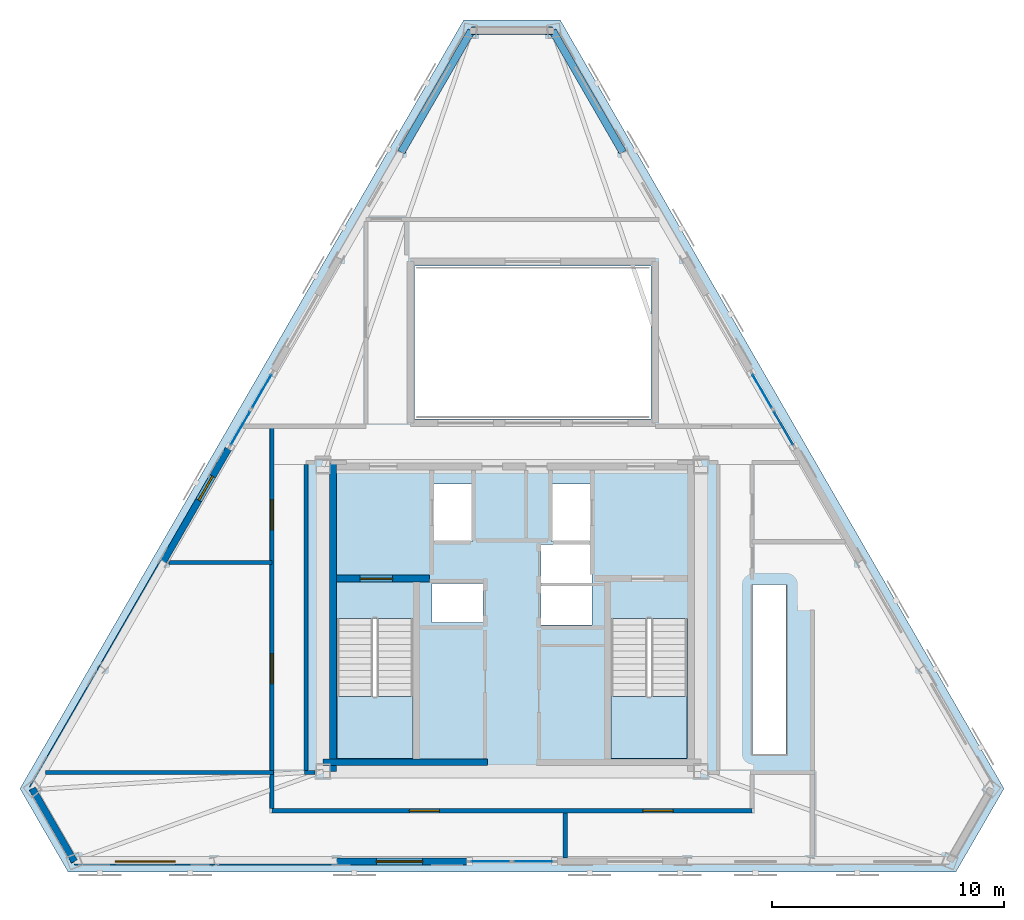
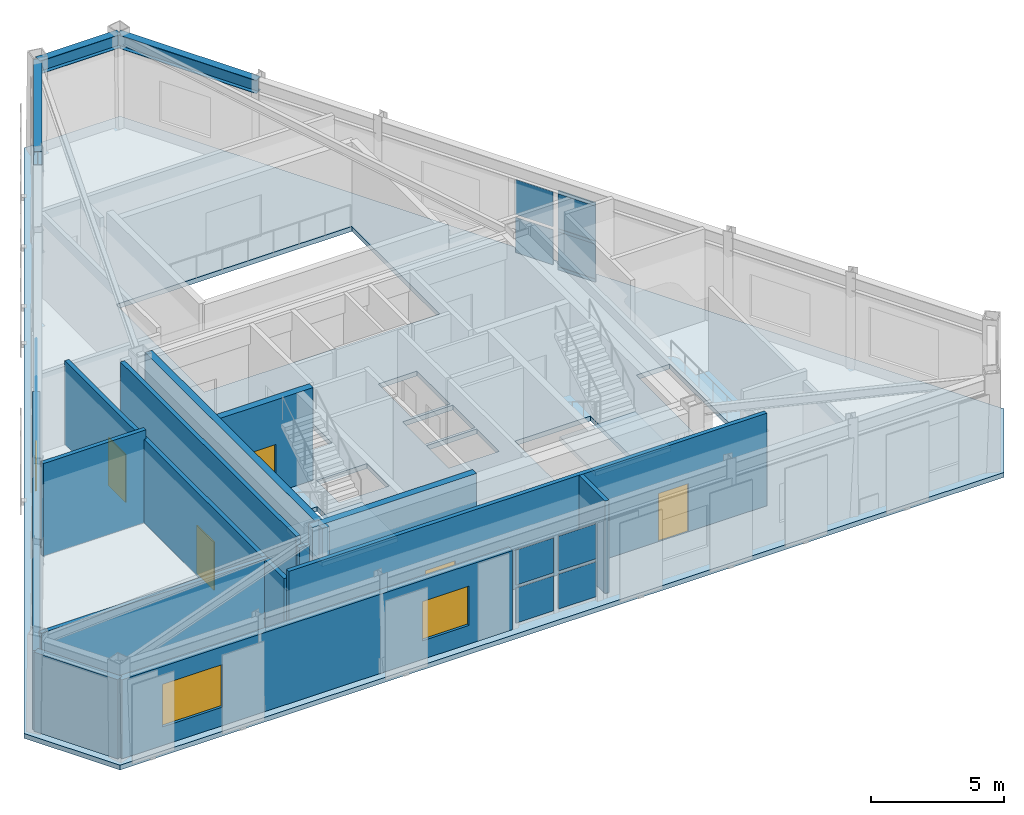
# One storey, part 8 of 14: 13 walls, 12 plates, 5 doors, 3 beams, 3 members, 3 slabs, 3 windows, 8 openings, 5 elements without a shape of their own.
"""IFC4 building model written with IfcOpenShell, lengths in metres."""

import ifcopenshell
import ifcopenshell.guid

model = None  # the IFC model being written
_history = None  # IfcOwnerHistory: only IFC2X3 demands one
_inside = {}  # id of a spatial element -> (the spatial element, [elements in it])
_under = {}  # id of a project, library or spatial element -> (it, [spatial elements below it])
_declared = {}  # id of a project -> (the project, [libraries it declares])
_typed = {}  # id of a type object -> (the type object, [elements of that type])
_made_of = {}  # id of a material, layer set ... -> (it, [elements and type objects made of it])


def new_model(schema):
    """Start an empty IFC model of exactly this schema.

    Asked for "IFC4X3", IfcOpenShell would pick the latest addendum, in which some entities
    have other attributes; the version numbers below select the first issue.
    IFC2X3 requires an IfcOwnerHistory on every rooted entity: one is made here for all.
    """
    global model, _history
    if schema == "IFC4X3":
        model = ifcopenshell.file(schema_version=(4, 3, 0, 0))
    else:
        model = ifcopenshell.file(schema=schema)
    _inside.clear()
    _under.clear()
    _declared.clear()
    _typed.clear()
    _made_of.clear()
    _history = None
    if model.schema == "IFC2X3":
        org = make("IfcOrganization", Name="unknown")
        user = make(
            "IfcPersonAndOrganization",
            ThePerson=make("IfcPerson", FamilyName="unknown"),
            TheOrganization=org,
        )
        app = make(
            "IfcApplication",
            ApplicationDeveloper=org,
            Version="unknown",
            ApplicationFullName="unknown",
            ApplicationIdentifier="unknown",
        )
        _history = make(
            "IfcOwnerHistory",
            OwningUser=user,
            OwningApplication=app,
            ChangeAction="ADDED",
            CreationDate=0,
        )
    return model


def make(cls, **values):
    """One entity of the class cls with the attributes given. An attribute that is None is left unset."""
    return model.create_entity(
        cls, **{name: value for name, value in values.items() if value is not None}
    )


def rooted(cls, **values):
    """An entity with a GlobalId (a new one), such as an element, a storey or a relation."""
    return make(cls, GlobalId=ifcopenshell.guid.new(), OwnerHistory=_history, **values)


def si_unit(unit_type, name, prefix=None):
    """IfcSIUnit, for example si_unit("LENGTHUNIT", "METRE", prefix="MILLI")."""
    return make("IfcSIUnit", UnitType=unit_type, Prefix=prefix, Name=name)


def assignment(units):
    """IfcUnitAssignment: the units of a project."""
    return None if units is None else make("IfcUnitAssignment", Units=units)


def point(xyz):
    """IfcCartesianPoint."""
    return None if xyz is None else make("IfcCartesianPoint", Coordinates=xyz)


def direction(xyz):
    """IfcDirection."""
    return None if xyz is None else make("IfcDirection", DirectionRatios=xyz)


def frame(location, z_axis=None, x_axis=None):
    """IfcAxis2Placement3D, a coordinate frame: its origin and axes. An axis left out is left unset."""
    return make(
        "IfcAxis2Placement3D",
        Location=point(location),
        Axis=direction(z_axis),
        RefDirection=direction(x_axis),
    )


def frame_2d(location, x_axis=None):
    """IfcAxis2Placement2D, a coordinate frame in the plane: its origin and x axis."""
    return make(
        "IfcAxis2Placement2D", Location=point(location), RefDirection=direction(x_axis)
    )


def origin():
    """The frame at (0, 0, 0) with its axes left unset."""
    return frame((0.0, 0.0, 0.0))


def origin_2d():
    """The frame at (0, 0) in the plane with its x axis left unset."""
    return frame_2d((0.0, 0.0))


def place(relative_to, where):
    """IfcLocalPlacement: puts the frame where relative to a parent placement (None: the world)."""
    return make(
        "IfcLocalPlacement", PlacementRelTo=relative_to, RelativePlacement=where
    )


def context(
    kind, dimensions, precision=None, world=None, true_north=None, identifier=None
):
    """IfcGeometricRepresentationContext, for example the 3D "Model" context."""
    return make(
        "IfcGeometricRepresentationContext",
        ContextIdentifier=identifier,
        ContextType=kind,
        CoordinateSpaceDimension=dimensions,
        Precision=precision,
        WorldCoordinateSystem=world,
        TrueNorth=true_north,
    )


def subcontext(parent, identifier, kind, view, scale=None):
    """IfcGeometricRepresentationSubContext, for example "Body" below "Model"."""
    return make(
        "IfcGeometricRepresentationSubContext",
        ContextIdentifier=identifier,
        ContextType=kind,
        ParentContext=parent,
        TargetScale=scale,
        TargetView=view,
    )


def project(units=None, contexts=None):
    """IfcProject with its units and contexts."""
    return rooted(
        "IfcProject",
        Name="project",
        RepresentationContexts=contexts,
        UnitsInContext=assignment(units),
    )


def spatial(cls, under=None, at=None, **own):
    """A site, building, storey or space (cls), placed at a placement, below another one or the project."""
    s = rooted(cls, ObjectPlacement=at, **own)
    if under is not None:
        _under.setdefault(under.id(), (under, []))[1].append(s)
    return s


def polyline(points):
    """IfcPolyline through the points."""
    return make("IfcPolyline", Points=[point(p) for p in points])


def profile(cls, at=None, kind="AREA", **sizes):
    """A parametric profile (cls). Its sizes go by their IFC names, for example OverallWidth=200.0."""
    return make(cls, ProfileType=kind, Position=at, **sizes)


def rectangle(**sizes):
    """IfcRectangleProfileDef."""
    return profile("IfcRectangleProfileDef", **sizes)


def hollow_rectangle(**sizes):
    """IfcRectangleHollowProfileDef."""
    return profile("IfcRectangleHollowProfileDef", **sizes)


def i_section(**sizes):
    """IfcIShapeProfileDef."""
    return profile("IfcIShapeProfileDef", **sizes)


def outline(outer, holes=None, kind="AREA"):
    """IfcArbitraryClosedProfileDef: a profile drawn as a closed curve; with holes, ...WithVoids."""
    if holes is None:
        return make("IfcArbitraryClosedProfileDef", ProfileType=kind, OuterCurve=outer)
    return make(
        "IfcArbitraryProfileDefWithVoids",
        ProfileType=kind,
        OuterCurve=outer,
        InnerCurves=holes,
    )


def extrude(swept, where, along, depth):
    """IfcExtrudedAreaSolid: the profile swept, set in the frame where, extruded along a direction by depth."""
    return make(
        "IfcExtrudedAreaSolid",
        SweptArea=swept,
        Position=where,
        ExtrudedDirection=direction(along),
        Depth=depth,
    )


def shape(context_of_items, identifier, shape_type, items):
    """IfcShapeRepresentation: the items that make up one representation, for example the "Body"."""
    return make(
        "IfcShapeRepresentation",
        ContextOfItems=context_of_items,
        RepresentationIdentifier=identifier,
        RepresentationType=shape_type,
        Items=items,
    )


def material(Name=None, Category=None):
    """IfcMaterial."""
    return make("IfcMaterial", Name=Name, Category=Category)


def layer(
    of_material, thickness, ventilated=None, Name=None, Category=None, Priority=None
):
    """IfcMaterialLayer: one layer of a wall or slab, of a material (None: an air gap)."""
    return make(
        "IfcMaterialLayer",
        Material=of_material,
        LayerThickness=thickness,
        IsVentilated=ventilated,
        Name=Name,
        Category=Category,
        Priority=Priority,
    )


def layer_set(layers, Name=None):
    """IfcMaterialLayerSet."""
    return make("IfcMaterialLayerSet", MaterialLayers=layers, LayerSetName=Name)


def material_profile(
    of_material, cross_section, Name=None, Category=None, Priority=None
):
    """IfcMaterialProfile: a cross section and its material."""
    return make(
        "IfcMaterialProfile",
        Name=Name,
        Material=of_material,
        Profile=cross_section,
        Priority=Priority,
        Category=Category,
    )


def profile_set(profiles, Name=None, composite=None):
    """IfcMaterialProfileSet."""
    return make(
        "IfcMaterialProfileSet",
        Name=Name,
        MaterialProfiles=profiles,
        CompositeProfile=composite,
    )


def made_of(thing, what):
    """Note that an element or type object is made of a material, layer set ...; save() writes the relation."""
    if what is not None:
        _made_of.setdefault(what.id(), (what, []))[1].append(thing)
    return thing


def type_object(cls, material=None, **own):
    """A type object (cls), such as IfcWallType, which elements share."""
    return made_of(rooted(cls, **own), material)


def element(
    cls,
    number,
    at=None,
    inside=None,
    cuts=None,
    type_object=None,
    material=None,
    context=None,
    identifier="Body",
    shape_type=None,
    held_by="IfcProductDefinitionShape",
    body=None,
    shapes=None,
    **own,
):
    """One element of the class cls, such as IfcWall. Its Tag is "e" and its number.

    at: its placement. inside: the storey or other place that contains it. cuts: it is an
    opening in that element (IfcRelVoidsElement). A single representation is given by context,
    identifier, shape_type and body (its items); several are given by shapes. held_by: the class
    of the entity that holds the representations. save() writes the other relations.
    """
    e = rooted(cls, Tag="e%d" % number, ObjectPlacement=at, **own)
    if body is not None:
        shapes = [shape(context, identifier, shape_type, body)]
    if shapes is not None:
        e.Representation = make(held_by, Representations=shapes)
    if inside is not None:
        _inside.setdefault(inside.id(), (inside, []))[1].append(e)
    if cuts is not None:
        rooted(
            "IfcRelVoidsElement", RelatingBuildingElement=cuts, RelatedOpeningElement=e
        )
    if type_object is not None:
        _typed.setdefault(type_object.id(), (type_object, []))[1].append(e)
    return made_of(e, material)


def fill(opening, filler):
    """IfcRelFillsElement: the door or window that sits in an opening."""
    return rooted(
        "IfcRelFillsElement",
        RelatingOpeningElement=opening,
        RelatedBuildingElement=filler,
    )


def aggregate(whole, parts):
    """IfcRelAggregates: a whole, such as a stair, and the parts it consists of."""
    return rooted("IfcRelAggregates", RelatingObject=whole, RelatedObjects=parts)


def save(model, path):
    """Write the relations noted so far, then the file.

    IfcRelAggregates (storeys below a building ...), IfcRelContainedInSpatialStructure (elements
    in a storey), IfcRelDefinesByType, IfcRelAssociatesMaterial and IfcRelDeclares: one each for
    every whole, place, type object, material and project.
    """
    for whole, parts in _under.values():
        aggregate(whole, parts)
    for where, things in _inside.values():
        rooted(
            "IfcRelContainedInSpatialStructure",
            RelatedElements=things,
            RelatingStructure=where,
        )
    for kind, things in _typed.values():
        rooted("IfcRelDefinesByType", RelatedObjects=things, RelatingType=kind)
    for what, things in _made_of.values():
        rooted("IfcRelAssociatesMaterial", RelatedObjects=things, RelatingMaterial=what)
    for by, libraries in _declared.values():
        rooted("IfcRelDeclares", RelatingContext=by, RelatedDefinitions=libraries)
    model.write(path)


model = new_model("IFC4")

# Units and contexts
model_context = context("Model", 3, precision=1e-05, world=origin(), true_north=direction((0.0, 1.0)))
body_context = subcontext(model_context, "Body", "Model", "MODEL_VIEW")
ifc_project = project(units=[si_unit("LENGTHUNIT", "METRE"), si_unit("AREAUNIT", "SQUARE_METRE"), si_unit("VOLUMEUNIT", "CUBIC_METRE"), si_unit("PLANEANGLEUNIT", "RADIAN"), si_unit("MASSUNIT", "GRAM", prefix="KILO")], contexts=[model_context])

# Site, building, storey
site_placement = place(None, origin())
site = spatial("IfcSite", under=ifc_project, at=site_placement, CompositionType="ELEMENT")
building_placement = place(site_placement, origin())
building = spatial("IfcBuilding", under=site, at=building_placement, Name="Oramaril Tower", CompositionType="ELEMENT")
storey_placement = place(building_placement, frame((0.0, 0.0, 309.60009765625)))
storey = spatial("IfcBuildingStorey", under=building, at=storey_placement, Name="L81", CompositionType="ELEMENT", Elevation=309.60009765625)

# Beams
ifc_material_1 = material(Name="Steel ASTM A572 Gr 50", Category="steel")
ifc_material_profile_1 = material_profile(ifc_material_1, i_section(OverallWidth=0.324951171875, OverallDepth=0.612060546875, WebThickness=0.0126953125, FlangeThickness=0.01904296875, at=origin_2d()), Name="W24X104")
ifc_profile_set_1 = profile_set([ifc_material_profile_1], Name="Steel ASTM A572 Gr 50")
beam_type = type_object("IfcBeamType", Name="BT-SP5", PredefinedType="SPANDREL", material=ifc_profile_set_1)
beam_1_placement = place(storey_placement, frame((42.279052734375, 37.693603515625, 3.933837890625), z_axis=(-0.499974138713, 0.86604033429, 0.0), x_axis=(-0.86604033429, -0.499974138713, 0.0)))
element("IfcBeam", 1, at=beam_1_placement, inside=storey, type_object=beam_type, Name="L81 Perimeter Spandrel 12", PredefinedType="SPANDREL", context=body_context, shape_type="SweptSolid", body=[
    extrude(i_section(OverallWidth=0.324951171875, OverallDepth=0.612060546875, WebThickness=0.0126953125, FlangeThickness=0.01904296875, at=origin_2d()), origin(), (0.0, 0.0, 1.0), 6.045654296875),
])
beam_2_placement = place(storey_placement, frame((39.25634765625, 42.929443359375, 3.933837890625), z_axis=(-1.0, 0.0, 0.0), x_axis=(0.0, -1.0, 0.0)))
element("IfcBeam", 2, at=beam_2_placement, inside=storey, type_object=beam_type, Name="L81 Perimeter Spandrel 13", PredefinedType="SPANDREL", context=body_context, shape_type="SweptSolid", body=[
    extrude(i_section(OverallWidth=0.324951171875, OverallDepth=0.612060546875, WebThickness=0.0126953125, FlangeThickness=0.01904296875, at=origin_2d()), origin(), (0.0, 0.0, 1.0), 3.5126953125),
])
beam_3_placement = place(storey_placement, frame((35.74365234375, 42.929443359375, 3.933837890625), z_axis=(-0.499974138713, -0.86604033429, 0.0), x_axis=(0.86604033429, -0.499974138713, 0.0)))
element("IfcBeam", 3, at=beam_3_placement, inside=storey, type_object=beam_type, Name="L81 Perimeter Spandrel 14", PredefinedType="SPANDREL", context=body_context, shape_type="SweptSolid", body=[
    extrude(i_section(OverallWidth=0.324951171875, OverallDepth=0.612060546875, WebThickness=0.0126953125, FlangeThickness=0.01904296875, at=origin_2d()), origin(), (0.0, 0.0, 1.0), 6.045654296875),
])

# Curtain wall, members
ifc_material_2 = material(Name="Anodised Aluminium 6063-T6", Category="aluminium")
ifc_layer_1 = layer(ifc_material_2, 0.219970703125)
ifc_layer_set_1 = layer_set([ifc_layer_1], Name="CWT-SYS6")
curtain_wall_type = type_object("IfcCurtainWallType", Name="CWT-SYS6", PredefinedType="NOTDEFINED", material=ifc_layer_set_1)
curtain_wall_1_placement = place(storey_placement, origin())
curtain_wall_1 = element("IfcCurtainWall", 4, at=curtain_wall_1_placement, inside=storey, type_object=curtain_wall_type, Name="L81 Unitised Curtain Wall CW-6", PredefinedType="NOTDEFINED")
ifc_material_3 = material(Name="Anodised Aluminium 6063-T6", Category="aluminium")
ifc_material_profile_2 = material_profile(ifc_material_3, hollow_rectangle(XDim=0.06494140625, YDim=0.139892578125, WallThickness=0.00390625, at=origin_2d()), Name="CWT140X65")
ifc_profile_set_2 = profile_set([ifc_material_profile_2], Name="Anodised Aluminium 6063-T6")
member_type = type_object("IfcMemberType", Name="MT-CWT2", PredefinedType="USERDEFINED", material=ifc_profile_set_2)
member_1_placement = place(storey_placement, frame((49.615234375, 25.09716796875, 0.06982421875), z_axis=(-0.499948604784, 0.866055074793, 0.0), x_axis=(-0.866055074793, -0.499948604784, 0.0)))
member_1 = element("IfcMember", 5, at=member_1_placement, type_object=member_type, Name="CW-6 transom 1.1", ObjectType="TRANSOM", PredefinedType="USERDEFINED", context=body_context, shape_type="SweptSolid", body=[
    extrude(hollow_rectangle(XDim=0.06494140625, YDim=0.139892578125, WallThickness=0.00390625, at=origin_2d()), origin(), (0.0, 0.0, 1.0), 1.619873046875),
])
member_2_placement = place(storey_placement, frame((49.615234375, 25.09716796875, 1.808837890625), z_axis=(-0.499948604784, 0.866055074793, 0.0), x_axis=(-0.866055074793, -0.499948604784, 0.0)))
member_2 = element("IfcMember", 6, at=member_2_placement, type_object=member_type, Name="CW-6 transom 1.2", ObjectType="TRANSOM", PredefinedType="USERDEFINED", context=body_context, shape_type="SweptSolid", body=[
    extrude(hollow_rectangle(XDim=0.06494140625, YDim=0.139892578125, WallThickness=0.00390625, at=origin_2d()), origin(), (0.0, 0.0, 1.0), 1.619873046875),
])
member_3_placement = place(storey_placement, frame((49.615234375, 25.09716796875, 3.5478515625), z_axis=(-0.499948604784, 0.866055074793, 0.0), x_axis=(-0.866055074793, -0.499948604784, 0.0)))
member_3 = element("IfcMember", 7, at=member_3_placement, type_object=member_type, Name="CW-6 transom 1.3", ObjectType="TRANSOM", PredefinedType="USERDEFINED", context=body_context, shape_type="SweptSolid", body=[
    extrude(hollow_rectangle(XDim=0.06494140625, YDim=0.139892578125, WallThickness=0.00390625, at=origin_2d()), origin(), (0.0, 0.0, 1.0), 1.619873046875),
])

# Curtain wall, plates
curtain_wall_2_placement = place(storey_placement, origin())
curtain_wall_2 = element("IfcCurtainWall", 8, at=curtain_wall_2_placement, inside=storey, type_object=curtain_wall_type, Name="L81 Unitised Curtain Wall CW-6", PredefinedType="NOTDEFINED")
ifc_material_4 = material(Name="Coastal Low-E Insulated Glass", Category="glass")
ifc_layer_2 = layer(ifc_material_4, 0.035888671875)
ifc_layer_set_2 = layer_set([ifc_layer_2], Name="PLT-CWP3")
plate_type = type_object("IfcPlateType", Name="PLT-CWP3", PredefinedType="CURTAIN_PANEL", material=ifc_layer_set_2)
plate_1_placement = place(storey_placement, frame((36.580078125, 7.109130859375, 0.139892578125), z_axis=(0.0, 0.0, 1.0), x_axis=(1.0, 0.0, 0.0)))
plate_1 = element("IfcPlate", 9, at=plate_1_placement, type_object=plate_type, Name="CW-6 panel 1.1", PredefinedType="CURTAIN_PANEL", context=body_context, shape_type="SweptSolid", body=[
    extrude(rectangle(XDim=1.6201171875, YDim=0.035888671875, at=origin_2d()), origin(), (0.0, 0.0, 1.0), 1.59912109375),
])
plate_2_placement = place(storey_placement, frame((36.580078125, 7.109130859375, 1.87890625), z_axis=(0.0, 0.0, 1.0), x_axis=(1.0, 0.0, 0.0)))
plate_2 = element("IfcPlate", 10, at=plate_2_placement, type_object=plate_type, Name="CW-6 panel 1.2", PredefinedType="CURTAIN_PANEL", context=body_context, shape_type="SweptSolid", body=[
    extrude(rectangle(XDim=1.6201171875, YDim=0.035888671875, at=origin_2d()), origin(), (0.0, 0.0, 1.0), 1.59912109375),
])
plate_3_placement = place(storey_placement, frame((38.419921875, 7.109130859375, 0.139892578125), z_axis=(0.0, 0.0, 1.0), x_axis=(1.0, 0.0, 0.0)))
plate_3 = element("IfcPlate", 11, at=plate_3_placement, type_object=plate_type, Name="CW-6 panel 2.1", PredefinedType="CURTAIN_PANEL", context=body_context, shape_type="SweptSolid", body=[
    extrude(rectangle(XDim=1.6201171875, YDim=0.035888671875, at=origin_2d()), origin(), (0.0, 0.0, 1.0), 1.59912109375),
])
plate_4_placement = place(storey_placement, frame((38.419921875, 7.109130859375, 1.87890625), z_axis=(0.0, 0.0, 1.0), x_axis=(1.0, 0.0, 0.0)))
plate_4 = element("IfcPlate", 12, at=plate_4_placement, type_object=plate_type, Name="CW-6 panel 2.2", PredefinedType="CURTAIN_PANEL", context=body_context, shape_type="SweptSolid", body=[
    extrude(rectangle(XDim=1.6201171875, YDim=0.035888671875, at=origin_2d()), origin(), (0.0, 0.0, 1.0), 1.59912109375),
])
aggregate(curtain_wall_2, [plate_1, plate_2, plate_3, plate_4])

# Plate
plate_5_placement = place(storey_placement, frame((49.210205078125, 25.798583984375, 0.139892578125), z_axis=(0.0, 0.0, 1.0), x_axis=(-0.499999897278, 0.866025463091, 0.0)))
plate_5 = element("IfcPlate", 13, at=plate_5_placement, type_object=plate_type, Name="CW-6 panel 1.1", PredefinedType="CURTAIN_PANEL", context=body_context, shape_type="SweptSolid", body=[
    extrude(rectangle(XDim=1.6201171875, YDim=0.035888671875, at=origin_2d()), origin(), (0.0, 0.0, 1.0), 1.59912109375),
])

plate_6_placement = place(storey_placement, frame((49.210205078125, 25.798583984375, 1.87890625), z_axis=(0.0, 0.0, 1.0), x_axis=(-0.499999897278, 0.866025463091, 0.0)))
plate_6 = element("IfcPlate", 14, at=plate_6_placement, type_object=plate_type, Name="CW-6 panel 1.2", PredefinedType="CURTAIN_PANEL", context=body_context, shape_type="SweptSolid", body=[
    extrude(rectangle(XDim=1.6201171875, YDim=0.035888671875, at=origin_2d()), origin(), (0.0, 0.0, 1.0), 1.59912109375),
])

plate_7_placement = place(storey_placement, frame((48.290283203125, 27.39208984375, 0.139892578125), z_axis=(0.0, 0.0, 1.0), x_axis=(-0.499999897278, 0.866025463091, 0.0)))
plate_7 = element("IfcPlate", 15, at=plate_7_placement, type_object=plate_type, Name="CW-6 panel 2.1", PredefinedType="CURTAIN_PANEL", context=body_context, shape_type="SweptSolid", body=[
    extrude(rectangle(XDim=1.6201171875, YDim=0.035888671875, at=origin_2d()), origin(), (0.0, 0.0, 1.0), 1.59912109375),
])

plate_8_placement = place(storey_placement, frame((48.290283203125, 27.39208984375, 1.87890625), z_axis=(0.0, 0.0, 1.0), x_axis=(-0.499999897278, 0.866025463091, 0.0)))
plate_8 = element("IfcPlate", 16, at=plate_8_placement, type_object=plate_type, Name="CW-6 panel 2.2", PredefinedType="CURTAIN_PANEL", context=body_context, shape_type="SweptSolid", body=[
    extrude(rectangle(XDim=1.6201171875, YDim=0.035888671875, at=origin_2d()), origin(), (0.0, 0.0, 1.0), 1.59912109375),
])

aggregate(curtain_wall_1, [member_1, member_2, member_3, plate_5, plate_6, plate_7, plate_8])

# Curtain wall, plates
curtain_wall_3_placement = place(storey_placement, origin())
curtain_wall_3 = element("IfcCurtainWall", 17, at=curtain_wall_3_placement, inside=storey, type_object=curtain_wall_type, Name="L81 Unitised Curtain Wall CW-6", PredefinedType="NOTDEFINED")
plate_9_placement = place(storey_placement, frame((26.709716796875, 27.39208984375, 0.139892578125), z_axis=(0.0, 0.0, 1.0), x_axis=(-0.499999897278, -0.866025463091, 0.0)))
plate_9 = element("IfcPlate", 18, at=plate_9_placement, type_object=plate_type, Name="CW-6 panel 1.1", PredefinedType="CURTAIN_PANEL", context=body_context, shape_type="SweptSolid", body=[
    extrude(rectangle(XDim=1.6201171875, YDim=0.035888671875, at=origin_2d()), origin(), (0.0, 0.0, 1.0), 1.59912109375),
])
plate_10_placement = place(storey_placement, frame((26.709716796875, 27.39208984375, 1.87890625), z_axis=(0.0, 0.0, 1.0), x_axis=(-0.499999897278, -0.866025463091, 0.0)))
plate_10 = element("IfcPlate", 19, at=plate_10_placement, type_object=plate_type, Name="CW-6 panel 1.2", PredefinedType="CURTAIN_PANEL", context=body_context, shape_type="SweptSolid", body=[
    extrude(rectangle(XDim=1.6201171875, YDim=0.035888671875, at=origin_2d()), origin(), (0.0, 0.0, 1.0), 1.59912109375),
])
plate_11_placement = place(storey_placement, frame((25.789794921875, 25.798828125, 0.139892578125), z_axis=(0.0, 0.0, 1.0), x_axis=(-0.499999897278, -0.866025463091, 0.0)))
plate_11 = element("IfcPlate", 20, at=plate_11_placement, type_object=plate_type, Name="CW-6 panel 2.1", PredefinedType="CURTAIN_PANEL", context=body_context, shape_type="SweptSolid", body=[
    extrude(rectangle(XDim=1.6201171875, YDim=0.035888671875, at=origin_2d()), origin(), (0.0, 0.0, 1.0), 1.59912109375),
])
plate_12_placement = place(storey_placement, frame((25.789794921875, 25.798828125, 1.87890625), z_axis=(0.0, 0.0, 1.0), x_axis=(-0.499999897278, -0.866025463091, 0.0)))
plate_12 = element("IfcPlate", 21, at=plate_12_placement, type_object=plate_type, Name="CW-6 panel 2.2", PredefinedType="CURTAIN_PANEL", context=body_context, shape_type="SweptSolid", body=[
    extrude(rectangle(XDim=1.6201171875, YDim=0.035888671875, at=origin_2d()), origin(), (0.0, 0.0, 1.0), 1.59912109375),
])
aggregate(curtain_wall_3, [plate_9, plate_10, plate_11, plate_12])

# Slab
ifc_material_5 = material(Name="Concrete C50/60", Category="concrete")
ifc_layer_3 = layer(ifc_material_5, 0.219970703125)
ifc_layer_set_3 = layer_set([ifc_layer_3], Name="SLT-FLR22")
slab_type_1 = type_object("IfcSlabType", Name="SLT-FLR22", PredefinedType="FLOOR", material=ifc_layer_set_3)
slab_1_placement = place(storey_placement, frame((0.0, 0.0, -0.22021484375)))
element("IfcSlab", 22, at=slab_1_placement, inside=storey, type_object=slab_type_1, Name="L81 Structural Floor Slab Part 1", PredefinedType="FLOOR", context=body_context, shape_type="SweptSolid", body=[
    extrude(outline(polyline([(35.419921875, 43.398681640625), (39.580078125, 43.398681640625), (58.71728515625, 10.252197265625), (56.63720703125, 6.649169921875), (18.36279296875, 6.649169921875), (16.28271484375, 10.252197265625), (35.419921875, 43.398681640625)]), holes=[polyline([(43.5, 32.800048828125), (33.300048828125, 32.800048828125), (33.300048828125, 26.199951171875), (43.5, 26.199951171875), (43.5, 32.800048828125)]), polyline([(29.949951171875, 17.58935546875), (29.949951171875, 11.550048828125), (33.219970703125, 11.550048828125), (33.219970703125, 17.58935546875), (29.949951171875, 17.58935546875)]), polyline([(41.780029296875, 17.58935546875), (41.780029296875, 11.550048828125), (45.050048828125, 11.550048828125), (45.050048828125, 17.58935546875), (41.780029296875, 17.58935546875)]), polyline([(47.875, 11.75), (49.324951171875, 11.75), (49.324951171875, 19.049560546875), (47.875, 19.049560546875), (47.875, 11.75)]), polyline([(34.110107421875, 20.909912109375), (35.7900390625, 20.909912109375), (35.7900390625, 23.389892578125), (34.110107421875, 23.389892578125), (34.110107421875, 20.909912109375)]), polyline([(39.2099609375, 20.909912109375), (40.889892578125, 20.909912109375), (40.889892578125, 23.389892578125), (39.2099609375, 23.389892578125), (39.2099609375, 20.909912109375)]), polyline([(34.06005859375, 17.409912109375), (36.239990234375, 17.409912109375), (36.239990234375, 19.090087890625), (34.06005859375, 19.090087890625), (34.06005859375, 17.409912109375)]), polyline([(38.760009765625, 17.31005859375), (40.93994140625, 17.31005859375), (40.93994140625, 18.989990234375), (38.760009765625, 18.989990234375), (38.760009765625, 17.31005859375)]), polyline([(38.760009765625, 19.110107421875), (40.93994140625, 19.110107421875), (40.93994140625, 20.7900390625), (38.760009765625, 20.7900390625), (38.760009765625, 19.110107421875)])]), origin(), (0.0, 0.0, 1.0), 0.22021484375),
])

# Stair, slab
ifc_material_6 = material(Name="Concrete C50/60", Category="concrete")
stair_type = type_object("IfcStairType", Name="STT-DG-4500", PredefinedType="HALF_TURN_STAIR", material=ifc_material_6)
stair_1_placement = place(storey_placement, origin())
stair_1 = element("IfcStair", 23, at=stair_1_placement, inside=storey, type_object=stair_type, Name="L81 Protected PFP Exit Stair ST-1", PredefinedType="HALF_TURN_STAIR")
ifc_material_7 = material(Name="Concrete C50/60", Category="concrete")
ifc_layer_4 = layer(ifc_material_7, 0.199951171875)
ifc_layer_set_4 = layer_set([ifc_layer_4], Name="SLT-LND20")
slab_type_2 = type_object("IfcSlabType", Name="SLT-LND20", PredefinedType="LANDING", material=ifc_layer_set_4)
slab_2_placement = place(storey_placement, frame((0.0, 0.0, 2.0498046875)))
slab_2 = element("IfcSlab", 24, at=slab_2_placement, type_object=slab_type_2, Name="ST-1 landing 1", PredefinedType="LANDING", context=body_context, shape_type="SweptSolid", body=[
    extrude(outline(polyline([(29.949951171875, 14.22998046875), (29.949951171875, 11.550048828125), (33.219970703125, 11.550048828125), (33.219970703125, 14.22998046875), (29.949951171875, 14.22998046875)])), origin(), (0.0, 0.0, 1.0), 0.2001953125),
])
aggregate(stair_1, [slab_2])

stair_2_placement = place(storey_placement, origin())
stair_2 = element("IfcStair", 25, at=stair_2_placement, inside=storey, type_object=stair_type, Name="L81 Protected PFP Exit Stair ST-2", PredefinedType="HALF_TURN_STAIR")
slab_3_placement = place(storey_placement, frame((0.0, 0.0, 2.0498046875)))
slab_3 = element("IfcSlab", 26, at=slab_3_placement, type_object=slab_type_2, Name="ST-2 landing 1", PredefinedType="LANDING", context=body_context, shape_type="SweptSolid", body=[
    extrude(outline(polyline([(41.780029296875, 14.22998046875), (41.780029296875, 11.550048828125), (45.050048828125, 11.550048828125), (45.050048828125, 14.22998046875), (41.780029296875, 14.22998046875)])), origin(), (0.0, 0.0, 1.0), 0.2001953125),
])
aggregate(stair_2, [slab_3])

# Wall
ifc_material_8 = material(Name="Warm Cream Limestone", Category="masonry")
ifc_layer_5 = layer(ifc_material_8, 0.2900390625)
ifc_layer_set_5 = layer_set([ifc_layer_5], Name="WT-EXT29")
wall_type_1 = type_object("IfcWallType", Name="WT-EXT29", PredefinedType="SOLIDWALL", material=ifc_layer_set_5)
wall_1_placement = place(storey_placement, frame((16.81396484375, 10.252197265625, 0.0), z_axis=(0.0, 0.0, 1.0), x_axis=(0.499959265134, -0.866048920793, 0.0)))
element("IfcWall", 27, at=wall_1_placement, inside=storey, type_object=wall_type_1, Name="L81 Tower Limestone Facade Wall 1M", PredefinedType="SOLIDWALL", context=body_context, shape_type="SweptSolid", body=[
    extrude(rectangle(XDim=3.629150390625, YDim=0.2900390625, at=frame_2d((1.814453125, 0.0))), origin(), (0.0, 0.0, 1.0), 3.617919921875),
])

# Wall, openings, windows
wall_2_placement = place(storey_placement, frame((18.62841796875, 7.109130859375, 0.0), z_axis=(0.0, 0.0, 1.0), x_axis=(1.0, 0.0, 0.0)))
wall_2 = element("IfcWall", 28, at=wall_2_placement, inside=storey, type_object=wall_type_1, Name="L81 Tower Limestone Facade Wall 2L", PredefinedType="SOLIDWALL", context=body_context, shape_type="SweptSolid", body=[
    extrude(rectangle(XDim=16.921630859375, YDim=0.2900390625, at=frame_2d((8.4609375, 0.0))), origin(), (0.0, 0.0, 1.0), 3.617919921875),
])
opening_1_placement = place(wall_2_placement, frame((1.752685546875, 0.0, 0.85009765625)))
opening_1 = element("IfcOpeningElement", 29, at=opening_1_placement, cuts=wall_2, Name="Opening WN-02", PredefinedType="OPENING", context=body_context, shape_type="SweptSolid", body=[
    extrude(rectangle(XDim=2.60009765625, YDim=1.949951171875, at=frame_2d((1.300048828125, 0.97509765625))), frame((0.0, 0.14501953125, 0.0), z_axis=(0.0, -1.0, 0.0), x_axis=(1.0, 0.0, 0.0)), (0.0, 0.0, 1.0), 0.2900390625),
])
opening_2_placement = place(wall_2_placement, frame((13.018798828125, 0.0, 0.85009765625)))
opening_2 = element("IfcOpeningElement", 30, at=opening_2_placement, cuts=wall_2, Name="Opening WN-05", PredefinedType="OPENING", context=body_context, shape_type="SweptSolid", body=[
    extrude(rectangle(XDim=2.0, YDim=1.800048828125, at=frame_2d((1.0, 0.89990234375))), frame((0.0, 0.14501953125, 0.0), z_axis=(0.0, -1.0, 0.0), x_axis=(1.0, 0.0, 0.0)), (0.0, 0.0, 1.0), 0.2900390625),
])
ifc_material_9 = material(Name="Coastal Low-E Insulated Glass", Category="glass")
window_type_1 = type_object("IfcWindowType", Name="WNT-02", PartitioningType="SINGLE_PANEL", PredefinedType="WINDOW", material=ifc_material_9)
window_1_placement = place(opening_1_placement, origin())
window_1 = element("IfcWindow", 31, at=window_1_placement, inside=storey, type_object=window_type_1, Name="L81 Chicago Bay Window WN-02", OverallHeight=1.949951171875, OverallWidth=2.60009765625, PartitioningType="SINGLE_PANEL", PredefinedType="WINDOW", context=body_context, shape_type="SweptSolid", body=[
    extrude(rectangle(XDim=2.60009765625, YDim=1.949951171875, at=frame_2d((1.300048828125, 0.97509765625))), frame((0.0, 0.030029296875, 0.0), z_axis=(0.0, -1.0, 0.0), x_axis=(1.0, 0.0, 0.0)), (0.0, 0.0, 1.0), 0.06005859375),
])
fill(opening_1, window_1)
ifc_material_10 = material(Name="Coastal Low-E Insulated Glass", Category="glass")
window_type_2 = type_object("IfcWindowType", Name="WNT-05", PartitioningType="SINGLE_PANEL", PredefinedType="WINDOW", material=ifc_material_10)
window_2_placement = place(opening_2_placement, origin())
window_2 = element("IfcWindow", 32, at=window_2_placement, inside=storey, type_object=window_type_2, Name="L81 Chicago Bay Window WN-05", OverallHeight=1.800048828125, OverallWidth=2.0, PartitioningType="SINGLE_PANEL", PredefinedType="WINDOW", context=body_context, shape_type="SweptSolid", body=[
    extrude(rectangle(XDim=2.0, YDim=1.800048828125, at=frame_2d((1.0, 0.89990234375))), frame((0.0, 0.030029296875, 0.0), z_axis=(0.0, -1.0, 0.0), x_axis=(1.0, 0.0, 0.0)), (0.0, 0.0, 1.0), 0.06005859375),
])
fill(opening_2, window_2)

# Wall, opening, window
wall_3_placement = place(storey_placement, frame((25.274658203125, 24.90673828125, 0.0), z_axis=(0.0, 0.0, 1.0), x_axis=(-0.499995131607, -0.866028214534, 0.0)))
wall_3 = element("IfcWall", 33, at=wall_3_placement, inside=storey, type_object=wall_type_1, Name="L81 Tower Limestone Facade Wall 6R", PredefinedType="SOLIDWALL", context=body_context, shape_type="SweptSolid", body=[
    extrude(rectangle(XDim=16.921630859375, YDim=0.2900390625, at=frame_2d((8.4609375, 0.0))), origin(), (0.0, 0.0, 1.0), 3.617919921875),
])
opening_3_placement = place(wall_3_placement, frame((1.363037109375, 0.0, 0.85009765625)))
opening_3 = element("IfcOpeningElement", 34, at=opening_3_placement, cuts=wall_3, Name="Opening WN-09", PredefinedType="OPENING", context=body_context, shape_type="SweptSolid", body=[
    extrude(rectangle(XDim=1.199951171875, YDim=1.47998046875, at=frame_2d((0.60009765625, 0.739990234375))), frame((0.0, 0.14501953125, 0.0), z_axis=(0.0, -1.0, 0.0), x_axis=(1.0, 0.0, 0.0)), (0.0, 0.0, 1.0), 0.2900390625),
])
ifc_material_11 = material(Name="Coastal Low-E Insulated Glass", Category="glass")
window_type_3 = type_object("IfcWindowType", Name="WNT-09", PartitioningType="SINGLE_PANEL", PredefinedType="WINDOW", material=ifc_material_11)
window_3_placement = place(opening_3_placement, origin())
window_3 = element("IfcWindow", 35, at=window_3_placement, inside=storey, type_object=window_type_3, Name="L81 Chicago Bay Window WN-09", OverallHeight=1.47998046875, OverallWidth=1.199951171875, PartitioningType="SINGLE_PANEL", PredefinedType="WINDOW", context=body_context, shape_type="SweptSolid", body=[
    extrude(rectangle(XDim=1.199951171875, YDim=1.47998046875, at=frame_2d((0.60009765625, 0.739990234375))), frame((0.0, 0.030029296875, 0.0), z_axis=(0.0, -1.0, 0.0), x_axis=(1.0, 0.0, 0.0)), (0.0, 0.0, 1.0), 0.06005859375),
])
fill(opening_3, window_3)

# Wall, openings, doors
ifc_material_12 = material(Name="Autoclaved Cellular Concrete Block", Category="concrete")
ifc_layer_6 = layer(ifc_material_12, 0.179931640625)
ifc_layer_set_6 = layer_set([ifc_layer_6], Name="WT-PT18")
wall_type_2 = type_object("IfcWallType", Name="WT-PT18", PredefinedType="PARTITIONING", material=ifc_layer_set_6)
wall_4_placement = place(storey_placement, frame((27.14990234375, 9.300048828125, 0.0), z_axis=(0.0, 0.0, 1.0), x_axis=(1.0, 0.0, 0.0)))
wall_4 = element("IfcWall", 36, at=wall_4_placement, inside=storey, type_object=wall_type_2, Name="L81 Interior Partition PT-18", PredefinedType="PARTITIONING", context=body_context, shape_type="SweptSolid", body=[
    extrude(rectangle(XDim=20.7001953125, YDim=0.179931640625, at=frame_2d((10.35009765625, 0.0))), origin(), (0.0, 0.0, 1.0), 4.239990234375),
])
opening_4_placement = place(wall_4_placement, frame((5.923583984375, 0.0, 0.0)))
opening_4 = element("IfcOpeningElement", 37, at=opening_4_placement, cuts=wall_4, Name="Opening D-L81-01", PredefinedType="OPENING", context=body_context, shape_type="SweptSolid", body=[
    extrude(rectangle(XDim=1.300048828125, YDim=2.199951171875, at=frame_2d((0.64990234375, 1.10009765625))), frame((0.0, 0.08984375, 0.0), z_axis=(0.0, -1.0, 0.0), x_axis=(1.0, 0.0, 0.0)), (0.0, 0.0, 1.0), 0.179931640625),
])
opening_5_placement = place(wall_4_placement, frame((15.9990234375, 0.0, 0.0)))
opening_5 = element("IfcOpeningElement", 38, at=opening_5_placement, cuts=wall_4, Name="Opening D-L81-02", PredefinedType="OPENING", context=body_context, shape_type="SweptSolid", body=[
    extrude(rectangle(XDim=1.300048828125, YDim=2.199951171875, at=frame_2d((0.64990234375, 1.10009765625))), frame((0.0, 0.08984375, 0.0), z_axis=(0.0, -1.0, 0.0), x_axis=(1.0, 0.0, 0.0)), (0.0, 0.0, 1.0), 0.179931640625),
])
ifc_material_13 = material(Name="FSC Brazilian Freijo Hardwood", Category="wood")
door_type_1 = type_object("IfcDoorType", Name="DT-COM", OperationType="NOTDEFINED", PredefinedType="DOOR", material=ifc_material_13)
door_1_placement = place(opening_4_placement, origin())
door_1 = element("IfcDoor", 39, at=door_1_placement, inside=storey, type_object=door_type_1, Name="L81 L81 Aerodynamic Portal Sky Lounge Door D-L81-01", OperationType="SINGLE_SWING_LEFT", OverallHeight=2.199951171875, OverallWidth=1.300048828125, PredefinedType="DOOR", context=body_context, shape_type="SweptSolid", body=[
    extrude(rectangle(XDim=1.300048828125, YDim=2.199951171875, at=frame_2d((0.64990234375, 1.10009765625))), frame((0.0, 0.02490234375, 0.0), z_axis=(0.0, -1.0, 0.0), x_axis=(1.0, 0.0, 0.0)), (0.0, 0.0, 1.0), 0.050048828125),
])
fill(opening_4, door_1)
door_2_placement = place(opening_5_placement, origin())
door_2 = element("IfcDoor", 40, at=door_2_placement, inside=storey, type_object=door_type_1, Name="L81 L81 High-Altitude Observatory Bistro Door D-L81-02", OperationType="SINGLE_SWING_RIGHT", OverallHeight=2.199951171875, OverallWidth=1.300048828125, PredefinedType="DOOR", context=body_context, shape_type="SweptSolid", body=[
    extrude(rectangle(XDim=1.300048828125, YDim=2.199951171875, at=frame_2d((0.64990234375, 1.10009765625))), frame((0.0, 0.02490234375, 0.0), z_axis=(0.0, -1.0, 0.0), x_axis=(1.0, 0.0, 0.0)), (0.0, 0.0, 1.0), 0.050048828125),
])
fill(opening_5, door_2)

# Walls
wall_5_placement = place(storey_placement, frame((17.388916015625, 10.949951171875, 0.0), z_axis=(0.0, 0.0, 1.0), x_axis=(1.0, 0.0, 0.0)))
element("IfcWall", 41, at=wall_5_placement, inside=storey, type_object=wall_type_2, Name="L81 Interior Partition PT-18", PredefinedType="PARTITIONING", context=body_context, shape_type="SweptSolid", body=[
    extrude(rectangle(XDim=9.821044921875, YDim=0.179931640625, at=frame_2d((4.91064453125, 0.0))), origin(), (0.0, 0.0, 1.0), 3.825927734375),
])
wall_6_placement = place(storey_placement, frame((28.56005859375, 10.949951171875, 0.0), z_axis=(0.0, 0.0, 1.0), x_axis=(1.0, 0.0, 0.0)))
element("IfcWall", 42, at=wall_6_placement, inside=storey, type_object=wall_type_2, Name="L81 Interior Partition PT-18", PredefinedType="PARTITIONING", context=body_context, shape_type="SweptSolid", body=[
    extrude(rectangle(XDim=0.449951171875, YDim=0.179931640625, at=frame_2d((0.22509765625, 0.0))), origin(), (0.0, 0.0, 1.0), 3.825927734375),
])
wall_7_placement = place(storey_placement, frame((22.698486328125, 20.0, 0.0), z_axis=(0.0, 0.0, 1.0), x_axis=(1.0, 0.0, 0.0)))
element("IfcWall", 43, at=wall_7_placement, inside=storey, type_object=wall_type_2, Name="L81 Interior Partition PT-18", PredefinedType="PARTITIONING", context=body_context, shape_type="SweptSolid", body=[
    extrude(rectangle(XDim=4.451416015625, YDim=0.179931640625, at=frame_2d((2.2255859375, 0.0))), origin(), (0.0, 0.0, 1.0), 4.239990234375),
])

# Wall, openings, doors
wall_8_placement = place(storey_placement, frame((27.14990234375, 9.39404296875, 0.0), z_axis=(0.0, 0.0, 1.0), x_axis=(0.0, 1.0, 0.0)))
wall_8 = element("IfcWall", 44, at=wall_8_placement, inside=storey, type_object=wall_type_2, Name="L81 Interior Partition PT-18", PredefinedType="PARTITIONING", context=body_context, shape_type="SweptSolid", body=[
    extrude(rectangle(XDim=16.4599609375, YDim=0.179931640625, at=frame_2d((8.22998046875, 0.0))), origin(), (0.0, 0.0, 1.0), 3.825927734375),
])
opening_6_placement = place(wall_8_placement, frame((5.38330078125, 0.0, 0.0)))
opening_6 = element("IfcOpeningElement", 45, at=opening_6_placement, cuts=wall_8, Name="Opening D-L81-05", PredefinedType="OPENING", context=body_context, shape_type="SweptSolid", body=[
    extrude(rectangle(XDim=1.300048828125, YDim=2.199951171875, at=frame_2d((0.64990234375, 1.10009765625))), frame((0.0, 0.08984375, 0.0), z_axis=(0.0, -1.0, 0.0), x_axis=(1.0, 0.0, 0.0)), (0.0, 0.0, 1.0), 0.179931640625),
])
opening_7_placement = place(wall_8_placement, frame((12.016357421875, 0.0, 0.0)))
opening_7 = element("IfcOpeningElement", 46, at=opening_7_placement, cuts=wall_8, Name="Opening D-L81-06", PredefinedType="OPENING", context=body_context, shape_type="SweptSolid", body=[
    extrude(rectangle(XDim=1.300048828125, YDim=2.199951171875, at=frame_2d((0.64990234375, 1.10009765625))), frame((0.0, 0.08984375, 0.0), z_axis=(0.0, -1.0, 0.0), x_axis=(1.0, 0.0, 0.0)), (0.0, 0.0, 1.0), 0.179931640625),
])
door_3_placement = place(opening_6_placement, origin())
door_3 = element("IfcDoor", 47, at=door_3_placement, inside=storey, type_object=door_type_1, Name="L81 L81 Observatory Catering Kitchen Door D-L81-05", OperationType="SINGLE_SWING_LEFT", OverallHeight=2.199951171875, OverallWidth=1.300048828125, PredefinedType="DOOR", context=body_context, shape_type="SweptSolid", body=[
    extrude(rectangle(XDim=1.300048828125, YDim=2.199951171875, at=frame_2d((0.64990234375, 1.10009765625))), frame((0.0, 0.02490234375, 0.0), z_axis=(0.0, -1.0, 0.0), x_axis=(1.0, 0.0, 0.0)), (0.0, 0.0, 1.0), 0.050048828125),
])
fill(opening_6, door_3)
door_4_placement = place(opening_7_placement, origin())
door_4 = element("IfcDoor", 48, at=door_4_placement, inside=storey, type_object=door_type_1, Name="L81 L81 Panoramic Reading Study Door D-L81-06", OperationType="SINGLE_SWING_RIGHT", OverallHeight=2.199951171875, OverallWidth=1.300048828125, PredefinedType="DOOR", context=body_context, shape_type="SweptSolid", body=[
    extrude(rectangle(XDim=1.300048828125, YDim=2.199951171875, at=frame_2d((0.64990234375, 1.10009765625))), frame((0.0, 0.02490234375, 0.0), z_axis=(0.0, -1.0, 0.0), x_axis=(1.0, 0.0, 0.0)), (0.0, 0.0, 1.0), 0.050048828125),
])
fill(opening_7, door_4)

# Walls
wall_9_placement = place(storey_placement, frame((28.6201171875, 11.0439453125, 0.0), z_axis=(0.0, 0.0, 1.0), x_axis=(0.0, 1.0, 0.0)))
element("IfcWall", 49, at=wall_9_placement, inside=storey, type_object=wall_type_2, Name="L81 Interior Partition PT-18", PredefinedType="PARTITIONING", context=body_context, shape_type="SweptSolid", body=[
    extrude(rectangle(XDim=13.18212890625, YDim=0.179931640625, at=frame_2d((6.591064453125, 0.0))), origin(), (0.0, 0.0, 1.0), 4.239990234375),
])
wall_10_placement = place(storey_placement, frame((39.800048828125, 7.25830078125, 0.0), z_axis=(0.0, 0.0, 1.0), x_axis=(0.0, 1.0, 0.0)))
element("IfcWall", 50, at=wall_10_placement, inside=storey, type_object=wall_type_2, Name="L81 Interior Partition PT-18", PredefinedType="PARTITIONING", context=body_context, shape_type="SweptSolid", body=[
    extrude(rectangle(XDim=1.94775390625, YDim=0.179931640625, at=frame_2d((0.973876953125, 0.0))), origin(), (0.0, 0.0, 1.0), 4.239990234375),
])
ifc_material_14 = material(Name="Concrete C50/60", Category="concrete")
ifc_layer_7 = layer(ifc_material_14, 0.300048828125)
ifc_layer_set_7 = layer_set([ifc_layer_7], Name="WT-SH30")
wall_type_3 = type_object("IfcWallType", Name="WT-SH30", PredefinedType="SHEAR", material=ifc_layer_set_7)
wall_11_placement = place(storey_placement, frame((29.7900390625, 11.0, 0.0), z_axis=(0.0, 0.0, 1.0), x_axis=(0.0, 1.0, 0.0)))
element("IfcWall", 51, at=wall_11_placement, inside=storey, type_object=wall_type_3, Name="L81 Core Shear Wall CW-W", PredefinedType="SHEAR", context=body_context, shape_type="SweptSolid", body=[
    extrude(rectangle(XDim=13.300048828125, YDim=0.300048828125, at=frame_2d((6.64990234375, 0.0))), origin(), (0.0, 0.0, 1.0), 4.239990234375),
])
wall_12_placement = place(storey_placement, frame((29.35009765625, 11.389892578125, 0.0), z_axis=(0.0, 0.0, 1.0), x_axis=(1.0, 0.0, 0.0)))
element("IfcWall", 52, at=wall_12_placement, inside=storey, type_object=wall_type_3, Name="L81 Core Shear Wall CW-SW", PredefinedType="SHEAR", context=body_context, shape_type="SweptSolid", body=[
    extrude(rectangle(XDim=7.099853515625, YDim=0.300048828125, at=frame_2d((3.5498046875, 0.0))), origin(), (0.0, 0.0, 1.0), 4.239990234375),
])

# Wall, opening, door
wall_13_placement = place(storey_placement, frame((29.93994140625, 19.31005859375, 0.0), z_axis=(0.0, 0.0, 1.0), x_axis=(1.0, 0.0, 0.0)))
wall_13 = element("IfcWall", 53, at=wall_13_placement, inside=storey, type_object=wall_type_3, Name="L81 Core Shear Wall CW-ST1N", PredefinedType="SHEAR", context=body_context, shape_type="SweptSolid", body=[
    extrude(rectangle(XDim=4.010009765625, YDim=0.300048828125, at=frame_2d((2.0048828125, 0.0))), origin(), (0.0, 0.0, 1.0), 4.239990234375),
])
opening_8_placement = place(wall_13_placement, frame((1.010009765625, 0.0, 0.0)))
opening_8 = element("IfcOpeningElement", 54, at=opening_8_placement, cuts=wall_13, Name="Opening D-L81-ST1", PredefinedType="OPENING", context=body_context, shape_type="SweptSolid", body=[
    extrude(rectangle(XDim=1.39990234375, YDim=2.199951171875, at=frame_2d((0.699951171875, 1.10009765625))), frame((0.0, 0.14990234375, 0.0), z_axis=(0.0, -1.0, 0.0), x_axis=(1.0, 0.0, 0.0)), (0.0, 0.0, 1.0), 0.300048828125),
])
ifc_material_15 = material(Name="Painted Galvanised Steel", Category="steel")
door_type_2 = type_object("IfcDoorType", Name="DT-ST", OperationType="NOTDEFINED", PredefinedType="DOOR", material=ifc_material_15)
door_5_placement = place(opening_8_placement, origin())
door_5 = element("IfcDoor", 55, at=door_5_placement, inside=storey, type_object=door_type_2, Name="L81 Protected Stair ST-1 Fire Door", OperationType="SINGLE_SWING_LEFT", OverallHeight=2.199951171875, OverallWidth=1.39990234375, PredefinedType="DOOR", context=body_context, shape_type="SweptSolid", body=[
    extrude(rectangle(XDim=1.39990234375, YDim=2.199951171875, at=frame_2d((0.699951171875, 1.10009765625))), frame((0.0, 0.02490234375, 0.0), z_axis=(0.0, -1.0, 0.0), x_axis=(1.0, 0.0, 0.0)), (0.0, 0.0, 1.0), 0.050048828125),
])
fill(opening_8, door_5)

save(model, "model.ifc")
